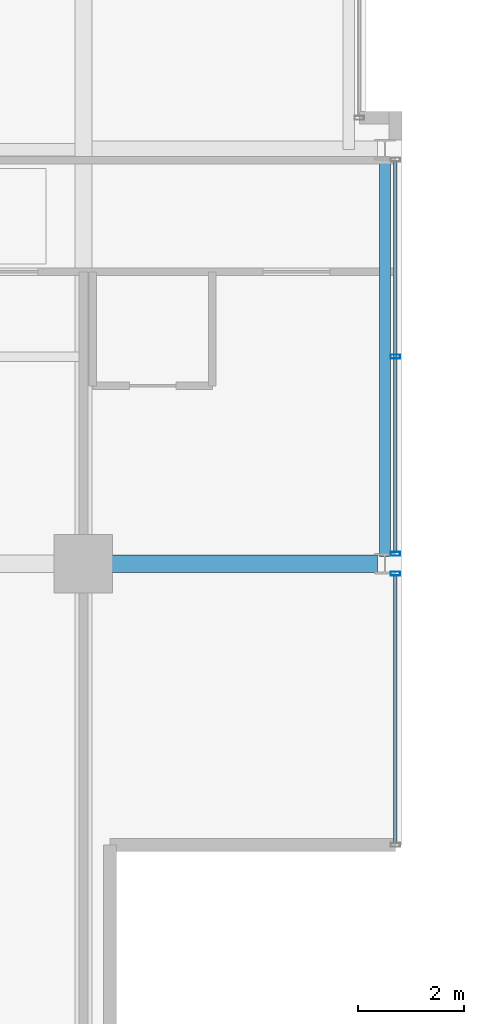
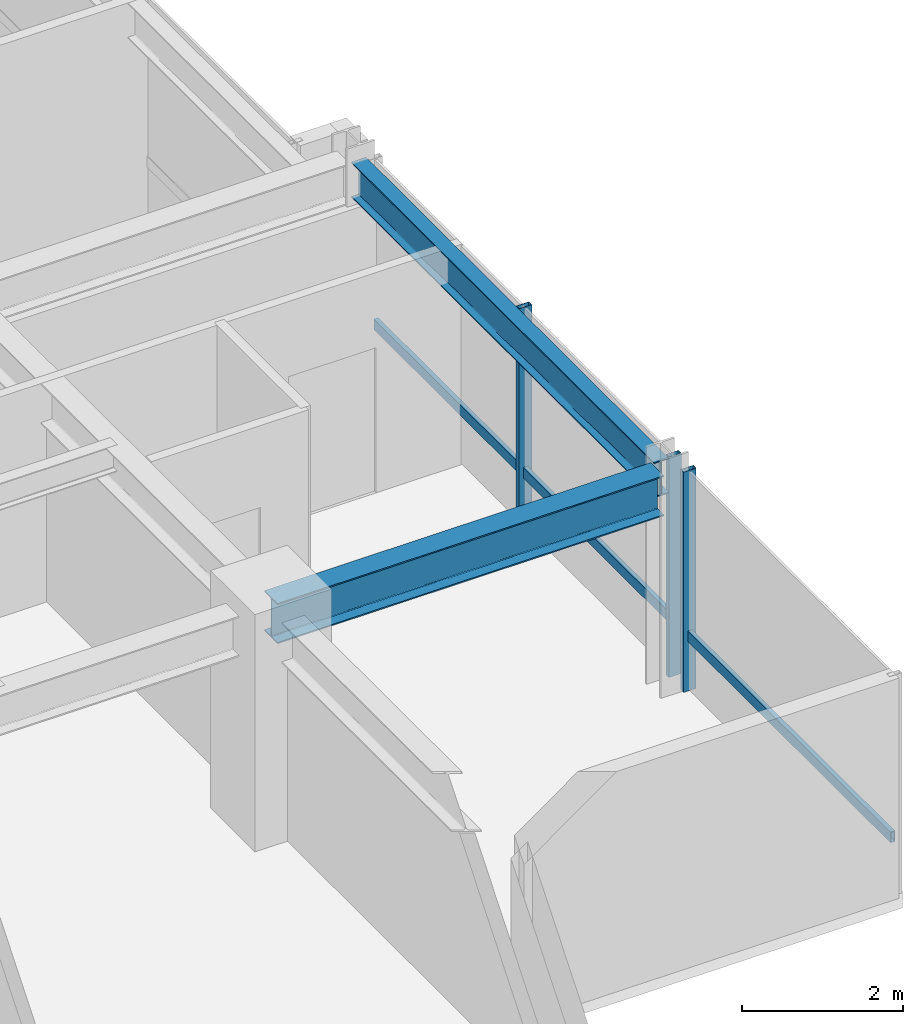
# One storey, part 14 of 34: 5 members, 2 beams, 2 elements without a shape of their own.
"""IFC4 building model written with IfcOpenShell, lengths in metres."""

from ifc_helpers import new_model, si_unit, direction, frame, origin, origin_2d, place, context, subcontext, project, spatial, hollow_rectangle, i_section, extrude, material, layer, layer_set, material_profile, profile_set, type_object, element, aggregate, save


model = new_model("IFC4")

# Units and contexts
model_context = context("Model", 3, precision=1e-05, world=origin(), true_north=direction((0.0, 1.0)))
body_context = subcontext(model_context, "Body", "Model", "MODEL_VIEW")
ifc_project = project(units=[si_unit("LENGTHUNIT", "METRE"), si_unit("AREAUNIT", "SQUARE_METRE"), si_unit("VOLUMEUNIT", "CUBIC_METRE"), si_unit("PLANEANGLEUNIT", "RADIAN"), si_unit("MASSUNIT", "GRAM", prefix="KILO")], contexts=[model_context])

# Site, building, storey
site_placement = place(None, origin())
site = spatial("IfcSite", under=ifc_project, at=site_placement, CompositionType="ELEMENT")
building_placement = place(site_placement, origin())
building = spatial("IfcBuilding", under=site, at=building_placement, Name="Drelvath Grand Hotel", CompositionType="ELEMENT")
storey_placement = place(building_placement, frame((0.0, 0.0, 208.699951171875)))
storey = spatial("IfcBuildingStorey", under=building, at=storey_placement, Name="L54", CompositionType="ELEMENT", Elevation=208.699951171875)

# Curtain wall, member
ifc_material_1 = material(Name="Platinum-Mist Anodised Aluminium Frame", Category="aluminium")
ifc_layer = layer(ifc_material_1, 0.199951171875)
ifc_layer_set = layer_set([ifc_layer], Name="Platinum-Mist Anodised Aluminium Frame")
curtain_wall_type = type_object("IfcCurtainWallType", Name="Stick Curtain Wall CW-05 Platinum Mist High-Rise", PredefinedType="NOTDEFINED", material=ifc_layer_set)
curtain_wall_1_placement = place(storey_placement, origin())
curtain_wall_1 = element("IfcCurtainWall", 1, at=curtain_wall_1_placement, inside=storey, type_object=curtain_wall_type, Name="L54 CW-05 Curtain Wall CW05-L54-ES1", PredefinedType="NOTDEFINED")
ifc_material_profile_1 = material_profile(ifc_material_1, hollow_rectangle(XDim=0.06494140625, YDim=0.159912109375, WallThickness=0.00390625, at=origin_2d()), Name="HSS160X65X4")
ifc_profile_set_1 = profile_set([ifc_material_profile_1], Name="Platinum-Mist Anodised Aluminium Frame")
member_type_1 = type_object("IfcMemberType", Name="Curtain Wall Horizontal Transom CW-05 HSS160X65X4", PredefinedType="USERDEFINED", material=ifc_profile_set_1)
member_1_placement = place(storey_placement, frame((22.080078125, 10.57470703125, 0.8349609375), z_axis=(0.0, -1.0, 0.0), x_axis=(1.0, 0.0, 0.0)))
member_1 = element("IfcMember", 2, at=member_1_placement, type_object=member_type_1, Name="CW05-L54-ES1 Sill Transom", ObjectType="TRANSOM", PredefinedType="USERDEFINED", context=body_context, shape_type="SweptSolid", body=[
    extrude(hollow_rectangle(XDim=0.06494140625, YDim=0.159912109375, WallThickness=0.00390625, at=origin_2d()), origin(), (0.0, 0.0, 1.0), 5.03466796875),
])

curtain_wall_2_placement = place(storey_placement, origin())
curtain_wall_2 = element("IfcCurtainWall", 3, at=curtain_wall_2_placement, inside=storey, type_object=curtain_wall_type, Name="L54 CW-05 Curtain Wall CW05-L54-ES2", PredefinedType="NOTDEFINED")
member_2_placement = place(storey_placement, frame((22.080078125, 18.374755859375, 0.8349609375), z_axis=(0.0, -1.0, 0.0), x_axis=(1.0, 0.0, 0.0)))
member_2 = element("IfcMember", 4, at=member_2_placement, type_object=member_type_1, Name="CW05-L54-ES2 Sill Transom", ObjectType="TRANSOM", PredefinedType="USERDEFINED", context=body_context, shape_type="SweptSolid", body=[
    extrude(hollow_rectangle(XDim=0.06494140625, YDim=0.159912109375, WallThickness=0.00390625, at=origin_2d()), origin(), (0.0, 0.0, 1.0), 7.349365234375),
])

# Member
ifc_material_profile_2 = material_profile(ifc_material_1, hollow_rectangle(XDim=0.074951171875, YDim=0.179931640625, WallThickness=0.0048828125, at=origin_2d()), Name="HSS180X75X5")
ifc_profile_set_2 = profile_set([ifc_material_profile_2], Name="Platinum-Mist Anodised Aluminium Frame")
member_type_2 = type_object("IfcMemberType", Name="Curtain Wall Vertical Mullion CW-05 HSS180X75X5", PredefinedType="MULLION", material=ifc_profile_set_2)
member_3_placement = place(storey_placement, frame((22.080078125, 10.61474609375, 0.0), z_axis=(0.0, 0.0, 1.0), x_axis=(0.0, 1.0, 0.0)))
member_3 = element("IfcMember", 5, at=member_3_placement, type_object=member_type_2, Name="CW05-L54-ES1 Mullion 1", PredefinedType="MULLION", context=body_context, shape_type="SweptSolid", body=[
    extrude(hollow_rectangle(XDim=0.074951171875, YDim=0.179931640625, WallThickness=0.0048828125, at=origin_2d()), origin(), (0.0, 0.0, 1.0), 3.340087890625),
])

aggregate(curtain_wall_1, [member_3, member_1])

member_4_placement = place(storey_placement, frame((22.080078125, 14.699951171875, 0.0), z_axis=(0.0, 0.0, 1.0), x_axis=(0.0, 1.0, 0.0)))
member_4 = element("IfcMember", 6, at=member_4_placement, type_object=member_type_2, Name="CW05-L54-ES2 Mullion 2", PredefinedType="MULLION", context=body_context, shape_type="SweptSolid", body=[
    extrude(hollow_rectangle(XDim=0.074951171875, YDim=0.179931640625, WallThickness=0.0048828125, at=origin_2d()), origin(), (0.0, 0.0, 1.0), 3.340087890625),
])

member_5_placement = place(storey_placement, frame((22.080078125, 10.9853515625, 0.0), z_axis=(0.0, 0.0, 1.0), x_axis=(0.0, 1.0, 0.0)))
member_5 = element("IfcMember", 7, at=member_5_placement, type_object=member_type_2, Name="CW05-L54-ES2 Mullion 3", PredefinedType="MULLION", context=body_context, shape_type="SweptSolid", body=[
    extrude(hollow_rectangle(XDim=0.074951171875, YDim=0.179931640625, WallThickness=0.0048828125, at=origin_2d()), origin(), (0.0, 0.0, 1.0), 3.340087890625),
])

aggregate(curtain_wall_2, [member_4, member_5, member_2])

# Beams
ifc_material_2 = material(Name="Steel ASTM A992 Gr 50", Category="steel")
ifc_material_profile_3 = material_profile(ifc_material_2, i_section(OverallWidth=0.210205078125, OverallDepth=0.53662109375, WebThickness=0.010986328125, FlangeThickness=0.017333984375, FilletRadius=0.01806640625, at=origin_2d()), Name="W21X68")
ifc_profile_set_3 = profile_set([ifc_material_profile_3], Name="Steel ASTM A992 Gr 50")
beam_type_1 = type_object("IfcBeamType", Name="Perimeter Spandrel Beam W21X68", PredefinedType="SPANDREL", material=ifc_profile_set_3)
beam_1_placement = place(storey_placement, frame((21.8798828125, 10.93994140625, 3.071533203125), z_axis=(0.0, 1.0, 0.0), x_axis=(-1.0, 0.0, 0.0)))
element("IfcBeam", 8, at=beam_1_placement, inside=storey, type_object=beam_type_1, Name="L54 Spandrel East S", PredefinedType="SPANDREL", context=body_context, shape_type="SweptSolid", body=[
    extrude(i_section(OverallWidth=0.210205078125, OverallDepth=0.53662109375, WebThickness=0.010986328125, FlangeThickness=0.017333984375, FilletRadius=0.01806640625, at=origin_2d()), origin(), (0.0, 0.0, 1.0), 7.52001953125),
])
ifc_material_profile_4 = material_profile(ifc_material_2, i_section(OverallWidth=0.323974609375, OverallDepth=0.611083984375, WebThickness=0.0126953125, FlangeThickness=0.01904296875, FilletRadius=0.02197265625, at=origin_2d()), Name="W24X104")
ifc_profile_set_4 = profile_set([ifc_material_profile_4], Name="Steel ASTM A992 Gr 50")
beam_type_2 = type_object("IfcBeamType", Name="Primary Floor Girder W24X104", PredefinedType="BEAM", material=ifc_profile_set_4)
beam_2_placement = place(storey_placement, frame((16.199951171875, 10.800048828125, 3.034423828125), z_axis=(1.0, 0.0, 0.0), x_axis=(0.0, 1.0, 0.0)))
element("IfcBeam", 9, at=beam_2_placement, inside=storey, type_object=beam_type_2, Name="L54 East Grid Girder C", PredefinedType="BEAM", context=body_context, shape_type="SweptSolid", body=[
    extrude(i_section(OverallWidth=0.323974609375, OverallDepth=0.611083984375, WebThickness=0.0126953125, FlangeThickness=0.01904296875, FilletRadius=0.02197265625, at=origin_2d()), origin(), (0.0, 0.0, 1.0), 5.5400390625),
])

save(model, "model.ifc")
